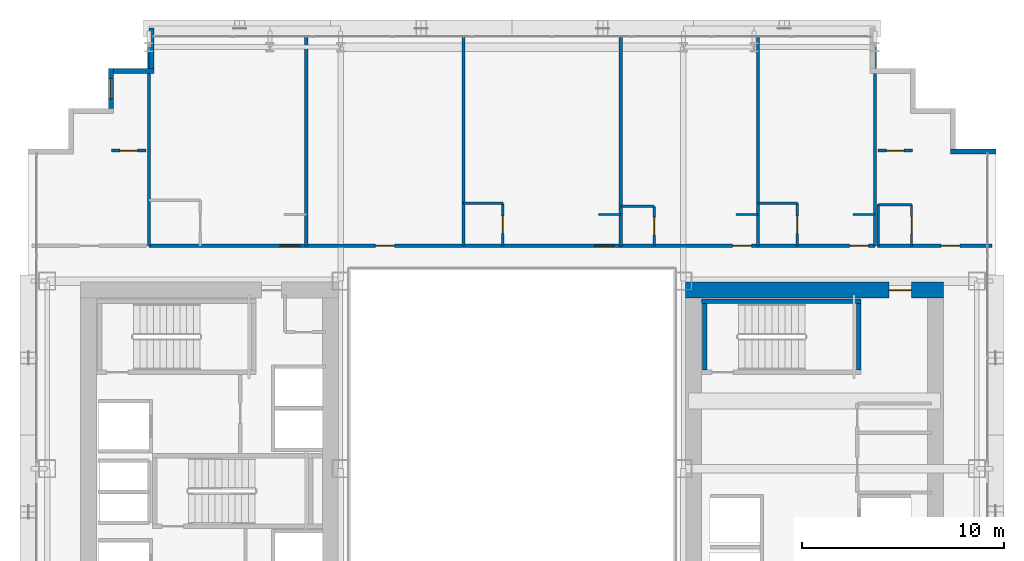
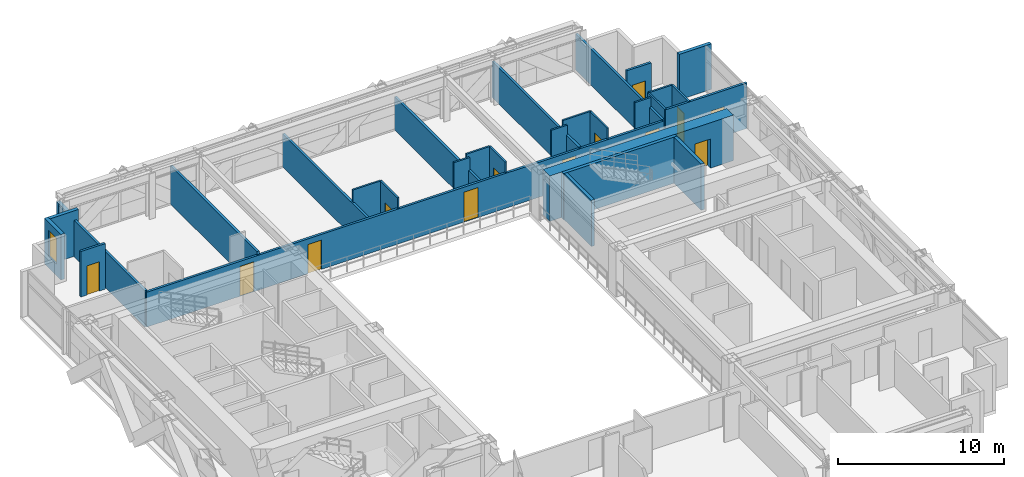
# One storey, part 30 of 35: 30 walls, 13 doors, 1 window, 14 openings.
"""IFC4 building model written with IfcOpenShell, lengths in metres."""

from ifc_helpers import new_model, si_unit, direction, frame, frame_2d, origin, place, context, subcontext, project, spatial, rectangle, extrude, source, transform, mapped, material, layer, layer_set, type_object, element, fill, save


model = new_model("IFC4")

# Units and contexts
model_context = context("Model", 3, precision=1e-05, world=origin(), true_north=direction((0.0, 1.0)))
body_context = subcontext(model_context, "Body", "Model", "MODEL_VIEW")
ifc_project = project(units=[si_unit("LENGTHUNIT", "METRE"), si_unit("AREAUNIT", "SQUARE_METRE"), si_unit("VOLUMEUNIT", "CUBIC_METRE"), si_unit("PLANEANGLEUNIT", "RADIAN"), si_unit("MASSUNIT", "GRAM", prefix="KILO")], contexts=[model_context])

# Site, building, storey
site_placement = place(None, origin())
site = spatial("IfcSite", under=ifc_project, at=site_placement, CompositionType="ELEMENT")
building_placement = place(site_placement, origin())
building = spatial("IfcBuilding", under=site, at=building_placement, Name="Ocotamira Hotel", CompositionType="ELEMENT")
storey_placement = place(building_placement, frame((0.0, 0.0, 63.60009765625)))
storey = spatial("IfcBuildingStorey", under=building, at=storey_placement, Name="L15", CompositionType="ELEMENT", Elevation=63.60009765625)

# Wall, opening, door
ifc_material_1 = material(Name="Concrete C60/75", Category="concrete")
ifc_layer_1 = layer(ifc_material_1, 0.800048828125)
ifc_layer_set_1 = layer_set([ifc_layer_1], Name="Concrete C60/75")
wall_type_1 = type_object("IfcWallType", Name="WL-CORE-800", PredefinedType="SHEAR", material=ifc_layer_set_1)
wall_1_placement = place(storey_placement, frame((40.60009765625, 37.0, 0.0), z_axis=(0.0, 0.0, 1.0), x_axis=(1.0, 0.0, 0.0)))
wall_1 = element("IfcWall", 1, at=wall_1_placement, inside=storey, type_object=wall_type_1, Name="L15 Shear Core Wall ECORE-N", PredefinedType="SHEAR", context=body_context, shape_type="SweptSolid", body=[
    extrude(rectangle(XDim=12.7998046875, YDim=0.800048828125, at=frame_2d((6.39990234375, 0.0))), origin(), (0.0, 0.0, 1.0), 3.349853515625),
])
opening_1_placement = place(wall_1_placement, frame((10.10009765625, 0.0, 0.0)))
opening_1 = element("IfcOpeningElement", 2, at=opening_1_placement, cuts=wall_1, Name="Opening D-FR1", PredefinedType="OPENING", context=body_context, shape_type="SweptSolid", body=[
    extrude(rectangle(XDim=1.10009765625, YDim=2.14990234375, at=frame_2d((0.550048828125, 1.074951171875))), frame((0.0, 0.41015625, 0.0), z_axis=(0.0, -1.0, 0.0), x_axis=(1.0, 0.0, 0.0)), (0.0, 0.0, 1.0), 0.820068359375),
])
ifc_material_2 = material(Name="Fire-rated acoustic timber-veneer door", Category="wood")
door_type_1 = type_object("IfcDoorType", Name="DR-FIRE-1100", OperationType="NOTDEFINED", PredefinedType="DOOR", material=ifc_material_2)
shared_shape_1 = source(origin(), body_context, "Body", "SweptSolid", [
    extrude(rectangle(XDim=1.10009765625, YDim=2.14990234375, at=frame_2d((0.550048828125, 1.074951171875))), frame((0.0, 0.02490234375, 0.0), z_axis=(0.0, -1.0, 0.0), x_axis=(1.0, 0.0, 0.0)), (0.0, 0.0, 1.0), 0.050048828125),
])
door_1_placement = place(opening_1_placement, origin())
door_1 = element("IfcDoor", 3, at=door_1_placement, inside=storey, type_object=door_type_1, Name="L15 Door ID-L15-ELOB-N-D [ID-L15-ELOB-N-D]", OperationType="SINGLE_SWING_LEFT", OverallHeight=2.14990234375, OverallWidth=1.10009765625, PredefinedType="DOOR", context=body_context, shape_type="MappedRepresentation", body=[
    mapped(shared_shape_1, transform((0.0, 0.0, 0.0), scale=1.0)),
])
fill(opening_1, door_1)

# Walls
ifc_material_3 = material(Name="Precast concrete C45/55", Category="concrete")
ifc_layer_2 = layer(ifc_material_3, 0.25)
ifc_layer_set_2 = layer_set([ifc_layer_2], Name="Precast concrete C45/55")
wall_type_2 = type_object("IfcWallType", Name="WL-EXT-SER-250", PredefinedType="SOLIDWALL", material=ifc_layer_set_2)
wall_2_placement = place(storey_placement, frame((56.0, 43.875, 0.0), z_axis=(0.0, 0.0, 1.0), x_axis=(-1.0, 0.0, 0.0)))
element("IfcWall", 4, at=wall_2_placement, inside=storey, type_object=wall_type_2, Name="L15 Serrated Corner Wall 07", PredefinedType="SOLIDWALL", context=body_context, shape_type="SweptSolid", body=[
    extrude(rectangle(XDim=2.25, YDim=0.25, at=frame_2d((1.125, 0.0))), origin(), (0.0, 0.0, 1.0), 3.349853515625),
])
wall_3_placement = place(storey_placement, frame((14.125, 50.0, 0.0), z_axis=(0.0, 0.0, 1.0), x_axis=(0.0, -1.0, 0.0)))
element("IfcWall", 5, at=wall_3_placement, inside=storey, type_object=wall_type_2, Name="L15 Serrated Corner Wall 13", PredefinedType="SOLIDWALL", context=body_context, shape_type="SweptSolid", body=[
    extrude(rectangle(XDim=2.0, YDim=0.25, at=frame_2d((1.0, 0.0))), origin(), (0.0, 0.0, 1.0), 2.656982421875),
])
wall_4_placement = place(storey_placement, frame((14.25, 47.875, 0.0), z_axis=(0.0, 0.0, 1.0), x_axis=(-1.0, 0.0, 0.0)))
element("IfcWall", 6, at=wall_4_placement, inside=storey, type_object=wall_type_2, Name="L15 Serrated Corner Wall 14", PredefinedType="SOLIDWALL", context=body_context, shape_type="SweptSolid", body=[
    extrude(rectangle(XDim=2.0, YDim=0.25, at=frame_2d((1.0, 0.0))), origin(), (0.0, 0.0, 1.0), 3.349853515625),
])

# Wall, opening, window
wall_5_placement = place(storey_placement, frame((12.125, 48.0, 0.0), z_axis=(0.0, 0.0, 1.0), x_axis=(0.0, -1.0, 0.0)))
wall_5 = element("IfcWall", 7, at=wall_5_placement, inside=storey, type_object=wall_type_2, Name="L15 Serrated Corner Wall 15", PredefinedType="SOLIDWALL", context=body_context, shape_type="SweptSolid", body=[
    extrude(rectangle(XDim=2.0, YDim=0.25, at=frame_2d((1.0, 0.0))), origin(), (0.0, 0.0, 1.0), 3.349853515625),
])
opening_2_placement = place(wall_5_placement, frame((0.5, 0.0, 0.85009765625)))
opening_2 = element("IfcOpeningElement", 8, at=opening_2_placement, cuts=wall_5, Name="Opening WN-2", PredefinedType="OPENING", context=body_context, shape_type="SweptSolid", body=[
    extrude(rectangle(XDim=1.0, YDim=1.89990234375, at=frame_2d((0.5, 0.949951171875))), frame((0.0, 0.135009765625, 0.0), z_axis=(0.0, -1.0, 0.0), x_axis=(1.0, 0.0, 0.0)), (0.0, 0.0, 1.0), 0.27001953125),
])
ifc_material_4 = material(Name="Double-silver low-E solar glass", Category="glass")
window_type = type_object("IfcWindowType", Name="WIN-SER-1100", PartitioningType="SINGLE_PANEL", PredefinedType="WINDOW", material=ifc_material_4)
shared_shape_2 = source(origin(), body_context, "Body", "SweptSolid", [
    extrude(rectangle(XDim=1.0, YDim=1.89990234375, at=frame_2d((0.5, 0.949951171875))), frame((0.0, 0.030029296875, 0.0), z_axis=(0.0, -1.0, 0.0), x_axis=(1.0, 0.0, 0.0)), (0.0, 0.0, 1.0), 0.06005859375),
])
window_placement = place(opening_2_placement, origin())
window = element("IfcWindow", 9, at=window_placement, inside=storey, type_object=window_type, Name="L15 Serrated Corner Window 15", OverallHeight=1.89990234375, OverallWidth=1.0, PartitioningType="SINGLE_PANEL", PredefinedType="WINDOW", context=body_context, shape_type="MappedRepresentation", body=[
    mapped(shared_shape_2, transform((0.0, 0.0, 0.0), scale=1.0)),
])
fill(opening_2, window)

# Wall, opening, door
ifc_material_5 = material(Name="Acoustic double-layer fire gypsum board partition", Category="gypsum")
ifc_layer_3 = layer(ifc_material_5, 0.159912109375)
ifc_layer_set_3 = layer_set([ifc_layer_3], Name="Acoustic double-layer fire gypsum board partition")
wall_type_3 = type_object("IfcWallType", Name="WL-FIRE-160", PredefinedType="PARTITIONING", material=ifc_layer_set_3)
wall_6_placement = place(storey_placement, frame((50.1201171875, 39.199951171875, 0.0), z_axis=(0.0, 0.0, 1.0), x_axis=(1.0, 0.0, 0.0)))
wall_6 = element("IfcWall", 10, at=wall_6_placement, inside=storey, type_object=wall_type_3, Name="L15 Interior Wall PW-L15-Z1C-CNE-CW", PredefinedType="PARTITIONING", context=body_context, shape_type="SweptSolid", body=[
    extrude(rectangle(XDim=5.679931640625, YDim=0.159912109375, at=frame_2d((2.83984375, 0.0))), origin(), (0.0, 0.0, 1.0), 3.349853515625),
])
opening_3_placement = place(wall_6_placement, frame((3.14990234375, 0.0, 0.0)))
opening_3 = element("IfcOpeningElement", 11, at=opening_3_placement, cuts=wall_6, Name="Opening D-GR1", PredefinedType="OPENING", context=body_context, shape_type="SweptSolid", body=[
    extrude(rectangle(XDim=0.93994140625, YDim=2.14990234375, at=frame_2d((0.469970703125, 1.074951171875))), frame((0.0, 0.08984375, 0.0), z_axis=(0.0, -1.0, 0.0), x_axis=(1.0, 0.0, 0.0)), (0.0, 0.0, 1.0), 0.179931640625),
])
ifc_material_6 = material(Name="Solid-core walnut suite entrance fire door", Category="wood")
door_type_2 = type_object("IfcDoorType", Name="DR-GUEST-940", OperationType="NOTDEFINED", PredefinedType="DOOR", material=ifc_material_6)
shared_shape_3 = source(origin(), body_context, "Body", "SweptSolid", [
    extrude(rectangle(XDim=0.93994140625, YDim=2.14990234375, at=frame_2d((0.469970703125, 1.074951171875))), frame((0.0, 0.02490234375, 0.0), z_axis=(0.0, -1.0, 0.0), x_axis=(1.0, 0.0, 0.0)), (0.0, 0.0, 1.0), 0.050048828125),
])
door_2_placement = place(opening_3_placement, origin())
door_2 = element("IfcDoor", 12, at=door_2_placement, inside=storey, type_object=door_type_2, Name="L15 Door ID-L15-Z1C-CNE-CD [ID-L15-Z1C-CNE-CD]", OperationType="SINGLE_SWING_RIGHT", OverallHeight=2.14990234375, OverallWidth=0.93994140625, PredefinedType="DOOR", context=body_context, shape_type="MappedRepresentation", body=[
    mapped(shared_shape_3, transform((0.0, 0.0, 0.0), scale=1.0)),
])
fill(opening_3, door_2)

wall_7_placement = place(storey_placement, frame((12.14990234375, 43.919921875, 0.0), z_axis=(0.0, 0.0, 1.0), x_axis=(1.0, 0.0, 0.0)))
wall_7 = element("IfcWall", 13, at=wall_7_placement, inside=storey, type_object=wall_type_3, Name="L15 Interior Wall PW-L15-Z1C-CNW2-CW", PredefinedType="PARTITIONING", context=body_context, shape_type="SweptSolid", body=[
    extrude(rectangle(XDim=1.7001953125, YDim=0.159912109375, at=frame_2d((0.85009765625, 0.0))), origin(), (0.0, 0.0, 1.0), 3.349853515625),
])
opening_4_placement = place(wall_7_placement, frame((0.409912109375, 0.0, 0.0)))
opening_4 = element("IfcOpeningElement", 14, at=opening_4_placement, cuts=wall_7, Name="Opening D-SV2", PredefinedType="OPENING", context=body_context, shape_type="SweptSolid", body=[
    extrude(rectangle(XDim=0.8798828125, YDim=2.14990234375, at=frame_2d((0.43994140625, 1.074951171875))), frame((0.0, 0.08984375, 0.0), z_axis=(0.0, -1.0, 0.0), x_axis=(1.0, 0.0, 0.0)), (0.0, 0.0, 1.0), 0.179931640625),
])
ifc_material_7 = material(Name="Fire-rated painted steel service door", Category="steel")
door_type_3 = type_object("IfcDoorType", Name="DR-SERV-880", OperationType="NOTDEFINED", PredefinedType="DOOR", material=ifc_material_7)
shared_shape_4 = source(origin(), body_context, "Body", "SweptSolid", [
    extrude(rectangle(XDim=0.8798828125, YDim=2.14990234375, at=frame_2d((0.43994140625, 1.074951171875))), frame((0.0, 0.02490234375, 0.0), z_axis=(0.0, -1.0, 0.0), x_axis=(1.0, 0.0, 0.0)), (0.0, 0.0, 1.0), 0.050048828125),
])
door_3_placement = place(opening_4_placement, origin())
door_3 = element("IfcDoor", 15, at=door_3_placement, inside=storey, type_object=door_type_3, Name="L15 Door ID-L15-Z1C-CNW2-CD [ID-L15-Z1C-CNW2-CD]", OperationType="SINGLE_SWING_LEFT", OverallHeight=2.14990234375, OverallWidth=0.8798828125, PredefinedType="DOOR", context=body_context, shape_type="MappedRepresentation", body=[
    mapped(shared_shape_4, transform((0.0, 0.0, 0.0), scale=1.0)),
])
fill(opening_4, door_3)

wall_8_placement = place(storey_placement, frame((50.14990234375, 43.919921875, 0.0), z_axis=(0.0, 0.0, 1.0), x_axis=(1.0, 0.0, 0.0)))
wall_8 = element("IfcWall", 16, at=wall_8_placement, inside=storey, type_object=wall_type_3, Name="L15 Interior Wall PW-L15-Z1C-CNE2-CW", PredefinedType="PARTITIONING", context=body_context, shape_type="SweptSolid", body=[
    extrude(rectangle(XDim=1.7001953125, YDim=0.159912109375, at=frame_2d((0.85009765625, 0.0))), origin(), (0.0, 0.0, 1.0), 3.349853515625),
])
opening_5_placement = place(wall_8_placement, frame((0.409912109375, 0.0, 0.0)))
opening_5 = element("IfcOpeningElement", 17, at=opening_5_placement, cuts=wall_8, Name="Opening D-SV2", PredefinedType="OPENING", context=body_context, shape_type="SweptSolid", body=[
    extrude(rectangle(XDim=0.8798828125, YDim=2.14990234375, at=frame_2d((0.43994140625, 1.074951171875))), frame((0.0, 0.08984375, 0.0), z_axis=(0.0, -1.0, 0.0), x_axis=(1.0, 0.0, 0.0)), (0.0, 0.0, 1.0), 0.179931640625),
])
door_4_placement = place(opening_5_placement, origin())
door_4 = element("IfcDoor", 18, at=door_4_placement, inside=storey, type_object=door_type_3, Name="L15 Door ID-L15-Z1C-CNE2-CD [ID-L15-Z1C-CNE2-CD]", OperationType="SINGLE_SWING_LEFT", OverallHeight=2.14990234375, OverallWidth=0.8798828125, PredefinedType="DOOR", context=body_context, shape_type="MappedRepresentation", body=[
    mapped(shared_shape_4, transform((0.0, 0.0, 0.0), scale=1.0)),
])
fill(opening_5, door_4)

# Wall, openings, doors
wall_9_placement = place(storey_placement, frame((14.0, 39.199951171875, 0.0), z_axis=(0.0, 0.0, 1.0), x_axis=(1.0, 0.0, 0.0)))
wall_9 = element("IfcWall", 19, at=wall_9_placement, inside=storey, type_object=wall_type_3, Name="L15 Interior Wall PW-L15-Z1CN-CORRW", PredefinedType="PARTITIONING", context=body_context, shape_type="SweptSolid", body=[
    extrude(rectangle(XDim=36.0, YDim=0.159912109375, at=frame_2d((18.0, 0.0))), origin(), (0.0, 0.0, 1.0), 2.57080078125),
])
opening_6_placement = place(wall_9_placement, frame((6.5, 0.0, 0.0)))
opening_6 = element("IfcOpeningElement", 20, at=opening_6_placement, cuts=wall_9, Name="Opening D-GR2", PredefinedType="OPENING", context=body_context, shape_type="SweptSolid", body=[
    extrude(rectangle(XDim=0.97998046875, YDim=2.199951171875, at=frame_2d((0.489990234375, 1.10009765625))), frame((0.0, 0.08984375, 0.0), z_axis=(0.0, -1.0, 0.0), x_axis=(1.0, 0.0, 0.0)), (0.0, 0.0, 1.0), 0.179931640625),
])
opening_7_placement = place(wall_9_placement, frame((11.219970703125, 0.0, 0.0)))
opening_7 = element("IfcOpeningElement", 21, at=opening_7_placement, cuts=wall_9, Name="Opening D-SV4", PredefinedType="OPENING", context=body_context, shape_type="SweptSolid", body=[
    extrude(rectangle(XDim=0.9599609375, YDim=2.14990234375, at=frame_2d((0.47998046875, 1.074951171875))), frame((0.0, 0.08984375, 0.0), z_axis=(0.0, -1.0, 0.0), x_axis=(1.0, 0.0, 0.0)), (0.0, 0.0, 1.0), 0.179931640625),
])
opening_8_placement = place(wall_9_placement, frame((22.10009765625, 0.0, 0.0)))
opening_8 = element("IfcOpeningElement", 22, at=opening_8_placement, cuts=wall_9, Name="Opening D-GR2", PredefinedType="OPENING", context=body_context, shape_type="SweptSolid", body=[
    extrude(rectangle(XDim=0.97998046875, YDim=2.199951171875, at=frame_2d((0.489990234375, 1.10009765625))), frame((0.0, 0.08984375, 0.0), z_axis=(0.0, -1.0, 0.0), x_axis=(1.0, 0.0, 0.0)), (0.0, 0.0, 1.0), 0.179931640625),
])
opening_9_placement = place(wall_9_placement, frame((28.93994140625, 0.0, 0.0)))
opening_9 = element("IfcOpeningElement", 23, at=opening_9_placement, cuts=wall_9, Name="Opening D-GR1", PredefinedType="OPENING", context=body_context, shape_type="SweptSolid", body=[
    extrude(rectangle(XDim=0.93994140625, YDim=2.14990234375, at=frame_2d((0.469970703125, 1.074951171875))), frame((0.0, 0.08984375, 0.0), z_axis=(0.0, -1.0, 0.0), x_axis=(1.0, 0.0, 0.0)), (0.0, 0.0, 1.0), 0.179931640625),
])
opening_10_placement = place(wall_9_placement, frame((34.739990234375, 0.0, 0.0)))
opening_10 = element("IfcOpeningElement", 24, at=opening_10_placement, cuts=wall_9, Name="Opening D-GR1", PredefinedType="OPENING", context=body_context, shape_type="SweptSolid", body=[
    extrude(rectangle(XDim=0.93994140625, YDim=2.14990234375, at=frame_2d((0.469970703125, 1.074951171875))), frame((0.0, 0.08984375, 0.0), z_axis=(0.0, -1.0, 0.0), x_axis=(1.0, 0.0, 0.0)), (0.0, 0.0, 1.0), 0.179931640625),
])
ifc_material_8 = material(Name="Fire-rated accessible walnut salon door", Category="wood")
door_type_4 = type_object("IfcDoorType", Name="DR-SERV-960", OperationType="NOTDEFINED", PredefinedType="DOOR", material=ifc_material_8)
shared_shape_5 = source(origin(), body_context, "Body", "SweptSolid", [
    extrude(rectangle(XDim=0.9599609375, YDim=2.14990234375, at=frame_2d((0.47998046875, 1.074951171875))), frame((0.0, 0.02490234375, 0.0), z_axis=(0.0, -1.0, 0.0), x_axis=(1.0, 0.0, 0.0)), (0.0, 0.0, 1.0), 0.050048828125),
])
door_5_placement = place(opening_7_placement, origin())
door_5 = element("IfcDoor", 25, at=door_5_placement, inside=storey, type_object=door_type_4, Name="L15 Door ID-L15-Z1CN-AMD2 [ID-L15-Z1CN-AMD2]", OperationType="SINGLE_SWING_RIGHT", OverallHeight=2.14990234375, OverallWidth=0.9599609375, PredefinedType="DOOR", context=body_context, shape_type="MappedRepresentation", body=[
    mapped(shared_shape_5, transform((0.0, 0.0, 0.0), scale=1.0)),
])
fill(opening_7, door_5)
door_6_placement = place(opening_9_placement, origin())
door_6 = element("IfcDoor", 26, at=door_6_placement, inside=storey, type_object=door_type_2, Name="L15 Door ID-L15-Z1CN-RMD4 [ID-L15-Z1CN-RMD4]", OperationType="SINGLE_SWING_RIGHT", OverallHeight=2.14990234375, OverallWidth=0.93994140625, PredefinedType="DOOR", context=body_context, shape_type="MappedRepresentation", body=[
    mapped(shared_shape_3, transform((0.0, 0.0, 0.0), scale=1.0)),
])
fill(opening_9, door_6)
door_7_placement = place(opening_10_placement, origin())
door_7 = element("IfcDoor", 27, at=door_7_placement, inside=storey, type_object=door_type_2, Name="L15 Door ID-L15-Z1CN-RMD5 [ID-L15-Z1CN-RMD5]", OperationType="SINGLE_SWING_LEFT", OverallHeight=2.14990234375, OverallWidth=0.93994140625, PredefinedType="DOOR", context=body_context, shape_type="MappedRepresentation", body=[
    mapped(shared_shape_3, transform((0.0, 0.0, 0.0), scale=1.0)),
])
fill(opening_10, door_7)
ifc_material_9 = material(Name="Solid-core walnut grand-suite entrance fire door", Category="wood")
door_type_5 = type_object("IfcDoorType", Name="DR-GUEST-980", OperationType="NOTDEFINED", PredefinedType="DOOR", material=ifc_material_9)
shared_shape_6 = source(origin(), body_context, "Body", "SweptSolid", [
    extrude(rectangle(XDim=0.97998046875, YDim=2.199951171875, at=frame_2d((0.489990234375, 1.10009765625))), frame((0.0, 0.02490234375, 0.0), z_axis=(0.0, -1.0, 0.0), x_axis=(1.0, 0.0, 0.0)), (0.0, 0.0, 1.0), 0.050048828125),
])
door_8_placement = place(opening_6_placement, origin())
door_8 = element("IfcDoor", 28, at=door_8_placement, inside=storey, type_object=door_type_5, Name="L15 Door ID-L15-Z1CN-RMD1 [ID-L15-Z1CN-RMD1]", OperationType="SINGLE_SWING_LEFT", OverallHeight=2.199951171875, OverallWidth=0.97998046875, PredefinedType="DOOR", context=body_context, shape_type="MappedRepresentation", body=[
    mapped(shared_shape_6, transform((0.0, 0.0, 0.0), scale=1.0)),
])
fill(opening_6, door_8)
door_9_placement = place(opening_8_placement, origin())
door_9 = element("IfcDoor", 29, at=door_9_placement, inside=storey, type_object=door_type_5, Name="L15 Door ID-L15-Z1CN-RMD3 [ID-L15-Z1CN-RMD3]", OperationType="SINGLE_SWING_LEFT", OverallHeight=2.199951171875, OverallWidth=0.97998046875, PredefinedType="DOOR", context=body_context, shape_type="MappedRepresentation", body=[
    mapped(shared_shape_6, transform((0.0, 0.0, 0.0), scale=1.0)),
])
fill(opening_8, door_9)

# Wall, opening, door
ifc_material_10 = material(Name="Moisture-resistant en-suite tile and gypsum partition", Category="gypsum")
ifc_layer_4 = layer(ifc_material_10, 0.1201171875)
ifc_layer_set_4 = layer_set([ifc_layer_4], Name="Moisture-resistant en-suite tile and gypsum partition")
wall_type_4 = type_object("IfcWallType", Name="WL-PART-120", PredefinedType="PARTITIONING", material=ifc_layer_set_4)
wall_10_placement = place(storey_placement, frame((51.81005859375, 39.199951171875, 0.0), z_axis=(0.0, 0.0, 1.0), x_axis=(0.0, 1.0, 0.0)))
wall_10 = element("IfcWall", 30, at=wall_10_placement, inside=storey, type_object=wall_type_4, Name="L15 Interior Wall PW-L15-Z1C-CNE-BE", PredefinedType="PARTITIONING", context=body_context, shape_type="SweptSolid", body=[
    extrude(rectangle(XDim=2.0400390625, YDim=0.1201171875, at=frame_2d((1.02001953125, 0.0))), origin(), (0.0, 0.0, 1.0), 3.349853515625),
])
opening_11_placement = place(wall_10_placement, frame((0.590087890625, 0.0, 0.0)))
opening_11 = element("IfcOpeningElement", 31, at=opening_11_placement, cuts=wall_10, Name="Opening D-BA1", PredefinedType="OPENING", context=body_context, shape_type="SweptSolid", body=[
    extrude(rectangle(XDim=0.860107421875, YDim=2.10009765625, at=frame_2d((0.43017578125, 1.050048828125))), frame((0.0, 0.070068359375, 0.0), z_axis=(0.0, -1.0, 0.0), x_axis=(1.0, 0.0, 0.0)), (0.0, 0.0, 1.0), 0.14013671875),
])
ifc_material_11 = material(Name="Moisture-sealed en-suite timber door", Category="wood")
door_type_6 = type_object("IfcDoorType", Name="DR-BATH-860", OperationType="NOTDEFINED", PredefinedType="DOOR", material=ifc_material_11)
shared_shape_7 = source(origin(), body_context, "Body", "SweptSolid", [
    extrude(rectangle(XDim=0.860107421875, YDim=2.10009765625, at=frame_2d((0.43017578125, 1.050048828125))), frame((0.0, 0.02490234375, 0.0), z_axis=(0.0, -1.0, 0.0), x_axis=(1.0, 0.0, 0.0)), (0.0, 0.0, 1.0), 0.050048828125),
])
door_10_placement = place(opening_11_placement, origin())
door_10 = element("IfcDoor", 32, at=door_10_placement, inside=storey, type_object=door_type_6, Name="L15 Door ID-L15-Z1C-CNE-BD [ID-L15-Z1C-CNE-BD]", OperationType="SINGLE_SWING_LEFT", OverallHeight=2.10009765625, OverallWidth=0.860107421875, PredefinedType="DOOR", context=body_context, shape_type="MappedRepresentation", body=[
    mapped(shared_shape_7, transform((0.0, 0.0, 0.0), scale=1.0)),
])
fill(opening_11, door_10)

# Walls
wall_11_placement = place(storey_placement, frame((50.159912109375, 39.199951171875, 0.0), z_axis=(0.0, 0.0, 1.0), x_axis=(0.0, 1.0, 0.0)))
element("IfcWall", 33, at=wall_11_placement, inside=storey, type_object=wall_type_4, Name="L15 Interior Wall PW-L15-Z1C-CNE-BW", PredefinedType="PARTITIONING", context=body_context, shape_type="SweptSolid", body=[
    extrude(rectangle(XDim=2.0400390625, YDim=0.1201171875, at=frame_2d((1.02001953125, 0.0))), origin(), (0.0, 0.0, 1.0), 3.349853515625),
])
wall_12_placement = place(storey_placement, frame((50.159912109375, 41.239990234375, 0.0), z_axis=(0.0, 0.0, 1.0), x_axis=(1.0, 0.0, 0.0)))
element("IfcWall", 34, at=wall_12_placement, inside=storey, type_object=wall_type_4, Name="L15 Interior Wall PW-L15-Z1C-CNE-BH", PredefinedType="PARTITIONING", context=body_context, shape_type="SweptSolid", body=[
    extrude(rectangle(XDim=1.650146484375, YDim=0.1201171875, at=frame_2d((0.8251953125, 0.0))), origin(), (0.0, 0.0, 1.0), 3.349853515625),
])

# Wall, opening, door
wall_13_placement = place(storey_placement, frame((31.550048828125, 39.199951171875, 0.0), z_axis=(0.0, 0.0, 1.0), x_axis=(0.0, 1.0, 0.0)))
wall_13 = element("IfcWall", 35, at=wall_13_placement, inside=storey, type_object=wall_type_4, Name="L15 Interior Wall PW-L15-Z1CN-BAE3", PredefinedType="PARTITIONING", context=body_context, shape_type="SweptSolid", body=[
    extrude(rectangle(XDim=2.10009765625, YDim=0.1201171875, at=frame_2d((1.050048828125, 0.0))), origin(), (0.0, 0.0, 1.0), 3.349853515625),
])
opening_12_placement = place(wall_13_placement, frame((0.6201171875, 0.0, 0.0)))
opening_12 = element("IfcOpeningElement", 36, at=opening_12_placement, cuts=wall_13, Name="Opening D-BA1", PredefinedType="OPENING", context=body_context, shape_type="SweptSolid", body=[
    extrude(rectangle(XDim=0.860107421875, YDim=2.10009765625, at=frame_2d((0.43017578125, 1.050048828125))), frame((0.0, 0.070068359375, 0.0), z_axis=(0.0, -1.0, 0.0), x_axis=(1.0, 0.0, 0.0)), (0.0, 0.0, 1.0), 0.14013671875),
])
door_11_placement = place(opening_12_placement, origin())
door_11 = element("IfcDoor", 37, at=door_11_placement, inside=storey, type_object=door_type_6, Name="L15 Door ID-L15-Z1CN-BAD3 [ID-L15-Z1CN-BAD3]", OperationType="SINGLE_SWING_RIGHT", OverallHeight=2.10009765625, OverallWidth=0.860107421875, PredefinedType="DOOR", context=body_context, shape_type="MappedRepresentation", body=[
    mapped(shared_shape_7, transform((0.0, 0.0, 0.0), scale=1.0)),
])
fill(opening_12, door_11)

# Walls
wall_14_placement = place(storey_placement, frame((29.60009765625, 41.300048828125, 0.0), z_axis=(0.0, 0.0, 1.0), x_axis=(1.0, 0.0, 0.0)))
element("IfcWall", 38, at=wall_14_placement, inside=storey, type_object=wall_type_4, Name="L15 Interior Wall PW-L15-Z1CN-BAN3", PredefinedType="PARTITIONING", context=body_context, shape_type="SweptSolid", body=[
    extrude(rectangle(XDim=1.949951171875, YDim=0.1201171875, at=frame_2d((0.97509765625, 0.0))), origin(), (0.0, 0.0, 1.0), 3.349853515625),
])
wall_15_placement = place(storey_placement, frame((36.300048828125, 40.75, 0.0), z_axis=(0.0, 0.0, 1.0), x_axis=(1.0, 0.0, 0.0)))
element("IfcWall", 39, at=wall_15_placement, inside=storey, type_object=wall_type_4, Name="L15 Interior Wall PW-L15-Z1CN-DRN3", PredefinedType="PARTITIONING", context=body_context, shape_type="SweptSolid", body=[
    extrude(rectangle(XDim=1.099853515625, YDim=0.1201171875, at=frame_2d((0.5498046875, 0.0))), origin(), (0.0, 0.0, 1.0), 3.349853515625),
])

# Wall, opening, door
wall_16_placement = place(storey_placement, frame((39.050048828125, 39.199951171875, 0.0), z_axis=(0.0, 0.0, 1.0), x_axis=(0.0, 1.0, 0.0)))
wall_16 = element("IfcWall", 40, at=wall_16_placement, inside=storey, type_object=wall_type_4, Name="L15 Interior Wall PW-L15-Z1CN-BAE4", PredefinedType="PARTITIONING", context=body_context, shape_type="SweptSolid", body=[
    extrude(rectangle(XDim=1.949951171875, YDim=0.1201171875, at=frame_2d((0.97509765625, 0.0))), origin(), (0.0, 0.0, 1.0), 3.349853515625),
])
opening_13_placement = place(wall_16_placement, frame((0.544921875, 0.0, 0.0)))
opening_13 = element("IfcOpeningElement", 41, at=opening_13_placement, cuts=wall_16, Name="Opening D-BA1", PredefinedType="OPENING", context=body_context, shape_type="SweptSolid", body=[
    extrude(rectangle(XDim=0.860107421875, YDim=2.10009765625, at=frame_2d((0.43017578125, 1.050048828125))), frame((0.0, 0.070068359375, 0.0), z_axis=(0.0, -1.0, 0.0), x_axis=(1.0, 0.0, 0.0)), (0.0, 0.0, 1.0), 0.14013671875),
])
door_12_placement = place(opening_13_placement, origin())
door_12 = element("IfcDoor", 42, at=door_12_placement, inside=storey, type_object=door_type_6, Name="L15 Door ID-L15-Z1CN-BAD4 [ID-L15-Z1CN-BAD4]", OperationType="SINGLE_SWING_LEFT", OverallHeight=2.10009765625, OverallWidth=0.860107421875, PredefinedType="DOOR", context=body_context, shape_type="MappedRepresentation", body=[
    mapped(shared_shape_7, transform((0.0, 0.0, 0.0), scale=1.0)),
])
fill(opening_13, door_12)

# Walls
wall_17_placement = place(storey_placement, frame((37.39990234375, 41.14990234375, 0.0), z_axis=(0.0, 0.0, 1.0), x_axis=(1.0, 0.0, 0.0)))
element("IfcWall", 43, at=wall_17_placement, inside=storey, type_object=wall_type_4, Name="L15 Interior Wall PW-L15-Z1CN-BAN4", PredefinedType="PARTITIONING", context=body_context, shape_type="SweptSolid", body=[
    extrude(rectangle(XDim=1.650146484375, YDim=0.1201171875, at=frame_2d((0.8251953125, 0.0))), origin(), (0.0, 0.0, 1.0), 3.349853515625),
])
wall_18_placement = place(storey_placement, frame((43.10009765625, 40.75, 0.0), z_axis=(0.0, 0.0, 1.0), x_axis=(1.0, 0.0, 0.0)))
element("IfcWall", 44, at=wall_18_placement, inside=storey, type_object=wall_type_4, Name="L15 Interior Wall PW-L15-Z1CN-DRN4", PredefinedType="PARTITIONING", context=body_context, shape_type="SweptSolid", body=[
    extrude(rectangle(XDim=1.099853515625, YDim=0.1201171875, at=frame_2d((0.5498046875, 0.0))), origin(), (0.0, 0.0, 1.0), 3.349853515625),
])

# Wall, opening, door
wall_19_placement = place(storey_placement, frame((46.14990234375, 39.199951171875, 0.0), z_axis=(0.0, 0.0, 1.0), x_axis=(0.0, 1.0, 0.0)))
wall_19 = element("IfcWall", 45, at=wall_19_placement, inside=storey, type_object=wall_type_4, Name="L15 Interior Wall PW-L15-Z1CN-BAE5", PredefinedType="PARTITIONING", context=body_context, shape_type="SweptSolid", body=[
    extrude(rectangle(XDim=2.10009765625, YDim=0.1201171875, at=frame_2d((1.050048828125, 0.0))), origin(), (0.0, 0.0, 1.0), 3.349853515625),
])
opening_14_placement = place(wall_19_placement, frame((0.6201171875, 0.0, 0.0)))
opening_14 = element("IfcOpeningElement", 46, at=opening_14_placement, cuts=wall_19, Name="Opening D-BA1", PredefinedType="OPENING", context=body_context, shape_type="SweptSolid", body=[
    extrude(rectangle(XDim=0.860107421875, YDim=2.10009765625, at=frame_2d((0.43017578125, 1.050048828125))), frame((0.0, 0.070068359375, 0.0), z_axis=(0.0, -1.0, 0.0), x_axis=(1.0, 0.0, 0.0)), (0.0, 0.0, 1.0), 0.14013671875),
])
door_13_placement = place(opening_14_placement, origin())
door_13 = element("IfcDoor", 47, at=door_13_placement, inside=storey, type_object=door_type_6, Name="L15 Door ID-L15-Z1CN-BAD5 [ID-L15-Z1CN-BAD5]", OperationType="SINGLE_SWING_RIGHT", OverallHeight=2.10009765625, OverallWidth=0.860107421875, PredefinedType="DOOR", context=body_context, shape_type="MappedRepresentation", body=[
    mapped(shared_shape_7, transform((0.0, 0.0, 0.0), scale=1.0)),
])
fill(opening_14, door_13)

# Walls
wall_20_placement = place(storey_placement, frame((44.199951171875, 41.300048828125, 0.0), z_axis=(0.0, 0.0, 1.0), x_axis=(1.0, 0.0, 0.0)))
element("IfcWall", 48, at=wall_20_placement, inside=storey, type_object=wall_type_4, Name="L15 Interior Wall PW-L15-Z1CN-BAN5", PredefinedType="PARTITIONING", context=body_context, shape_type="SweptSolid", body=[
    extrude(rectangle(XDim=1.949951171875, YDim=0.1201171875, at=frame_2d((0.97509765625, 0.0))), origin(), (0.0, 0.0, 1.0), 3.349853515625),
])
wall_21_placement = place(storey_placement, frame((48.89990234375, 40.75, 0.0), z_axis=(0.0, 0.0, 1.0), x_axis=(1.0, 0.0, 0.0)))
element("IfcWall", 49, at=wall_21_placement, inside=storey, type_object=wall_type_4, Name="L15 Interior Wall PW-L15-Z1CN-DRN5", PredefinedType="PARTITIONING", context=body_context, shape_type="SweptSolid", body=[
    extrude(rectangle(XDim=1.10009765625, YDim=0.1201171875, at=frame_2d((0.550048828125, 0.0))), origin(), (0.0, 0.0, 1.0), 3.349853515625),
])
ifc_material_12 = material(Name="Acoustic double-stud hospitality gypsum partition", Category="gypsum")
ifc_layer_5 = layer(ifc_material_12, 0.159912109375)
ifc_layer_set_5 = layer_set([ifc_layer_5], Name="Acoustic double-stud hospitality gypsum partition")
wall_type_5 = type_object("IfcWallType", Name="WL-PART-160", PredefinedType="PARTITIONING", material=ifc_layer_set_5)
for number, where, z_axis, x_axis, name in (
    (50, (14.0, 39.199951171875, 0.0), (0.0, 0.0, 1.0), (0.0, 1.0, 0.0), "L15 Interior Wall PW-L15-Z1CN-PW0"),
    (51, (50.0, 39.199951171875, 0.0), (0.0, 0.0, 1.0), (0.0, 1.0, 0.0), "L15 Interior Wall PW-L15-Z1CN-PWEND"),
):
    element("IfcWall", number, at=place(storey_placement, frame(where, z_axis=z_axis, x_axis=x_axis)), inside=storey, type_object=wall_type_5, Name=name, PredefinedType="PARTITIONING", context=body_context, shape_type="SweptSolid", body=[
        extrude(rectangle(XDim=10.43994140625, YDim=0.159912109375, at=frame_2d((5.219970703125, 0.0))), origin(), (0.0, 0.0, 1.0), 2.656982421875),
    ])
wall_22_placement = place(storey_placement, frame((29.60009765625, 39.199951171875, 0.0), z_axis=(0.0, 0.0, 1.0), x_axis=(0.0, 1.0, 0.0)))
element("IfcWall", 52, at=wall_22_placement, inside=storey, type_object=wall_type_5, Name="L15 Interior Wall PW-L15-Z1CN-PW2", PredefinedType="PARTITIONING", context=body_context, shape_type="SweptSolid", body=[
    extrude(rectangle(XDim=10.43994140625, YDim=0.159912109375, at=frame_2d((5.219970703125, 0.0))), origin(), (0.0, 0.0, 1.0), 2.4228515625),
])
wall_23_placement = place(storey_placement, frame((44.199951171875, 39.199951171875, 0.0), z_axis=(0.0, 0.0, 1.0), x_axis=(0.0, 1.0, 0.0)))
element("IfcWall", 53, at=wall_23_placement, inside=storey, type_object=wall_type_5, Name="L15 Interior Wall PW-L15-Z1CN-PW4", PredefinedType="PARTITIONING", context=body_context, shape_type="SweptSolid", body=[
    extrude(rectangle(XDim=10.43994140625, YDim=0.159912109375, at=frame_2d((5.219970703125, 0.0))), origin(), (0.0, 0.0, 1.0), 2.656982421875),
])
ifc_material_13 = material(Name="Double-stud suite party gypsum partition", Category="gypsum")
ifc_layer_6 = layer(ifc_material_13, 0.175048828125)
ifc_layer_set_6 = layer_set([ifc_layer_6], Name="Double-stud suite party gypsum partition")
wall_type_6 = type_object("IfcWallType", Name="WL-PART-175", PredefinedType="PARTITIONING", material=ifc_layer_set_6)
wall_24_placement = place(storey_placement, frame((21.800048828125, 39.199951171875, 0.0), z_axis=(0.0, 0.0, 1.0), x_axis=(0.0, 1.0, 0.0)))
element("IfcWall", 54, at=wall_24_placement, inside=storey, type_object=wall_type_6, Name="L15 Interior Wall PW-L15-Z1CN-PW1", PredefinedType="PARTITIONING", context=body_context, shape_type="SweptSolid", body=[
    extrude(rectangle(XDim=10.43994140625, YDim=0.175048828125, at=frame_2d((5.219970703125, 0.0))), origin(), (0.0, 0.0, 1.0), 2.81298828125),
])
wall_25_placement = place(storey_placement, frame((37.39990234375, 39.199951171875, 0.0), z_axis=(0.0, 0.0, 1.0), x_axis=(0.0, 1.0, 0.0)))
element("IfcWall", 55, at=wall_25_placement, inside=storey, type_object=wall_type_6, Name="L15 Interior Wall PW-L15-Z1CN-PW3", PredefinedType="PARTITIONING", context=body_context, shape_type="SweptSolid", body=[
    extrude(rectangle(XDim=10.43994140625, YDim=0.175048828125, at=frame_2d((5.219970703125, 0.0))), origin(), (0.0, 0.0, 1.0), 2.4228515625),
])
ifc_material_14 = material(Name="Concrete C50/60", Category="concrete")
ifc_layer_7 = layer(ifc_material_14, 0.219970703125)
ifc_layer_set_7 = layer_set([ifc_layer_7], Name="Concrete C50/60")
wall_type_7 = type_object("IfcWallType", Name="WL-STAIR-220", PredefinedType="SHEAR", material=ifc_layer_set_7)
wall_26_placement = place(storey_placement, frame((41.39990234375, 36.43994140625, 0.0), z_axis=(0.0, 0.0, 1.0), x_axis=(1.0, 0.0, 0.0)))
element("IfcWall", 56, at=wall_26_placement, inside=storey, type_object=wall_type_7, Name="L15 Stair Shaft Structural Wall ST-4-N", PredefinedType="SHEAR", context=body_context, shape_type="SweptSolid", body=[
    extrude(rectangle(XDim=7.91015625, YDim=0.219970703125, at=frame_2d((3.955078125, 0.0))), origin(), (0.0, 0.0, 1.0), 3.39990234375),
])
for number, where, z_axis, x_axis, name in (
    (57, (41.56005859375, 33.050048828125, 0.0), (0.0, 0.0, 1.0), (0.0, 1.0, 0.0), "L15 Stair Shaft Structural Wall ST-4-W"),
    (58, (49.199951171875, 33.050048828125, 0.0), (0.0, 0.0, 1.0), (0.0, 1.0, 0.0), "L15 Stair Shaft Structural Wall ST-4-E"),
):
    element("IfcWall", number, at=place(storey_placement, frame(where, z_axis=z_axis, x_axis=x_axis)), inside=storey, type_object=wall_type_7, Name=name, PredefinedType="SHEAR", context=body_context, shape_type="SweptSolid", body=[
        extrude(rectangle(XDim=3.280029296875, YDim=0.219970703125, at=frame_2d((1.64013671875, 0.0))), origin(), (0.0, 0.0, 1.0), 3.39990234375),
    ])

save(model, "model.ifc")
